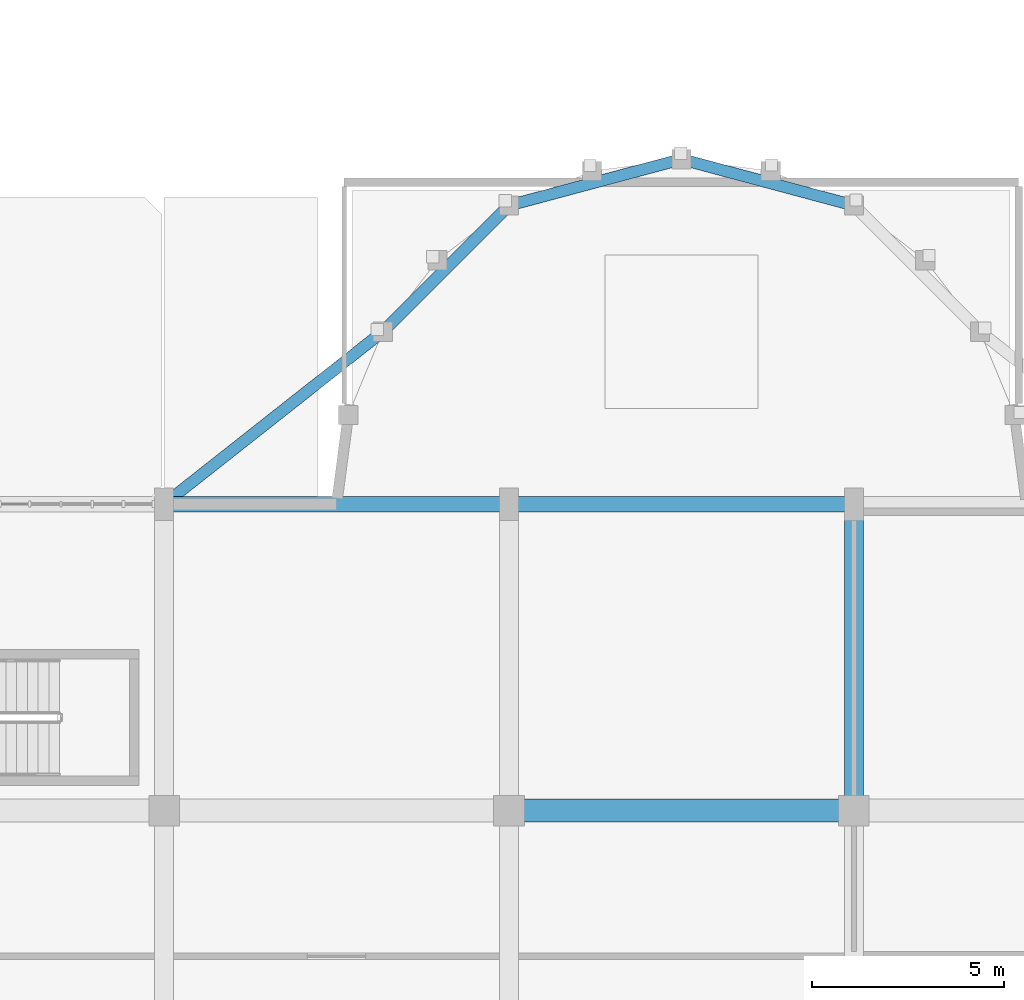
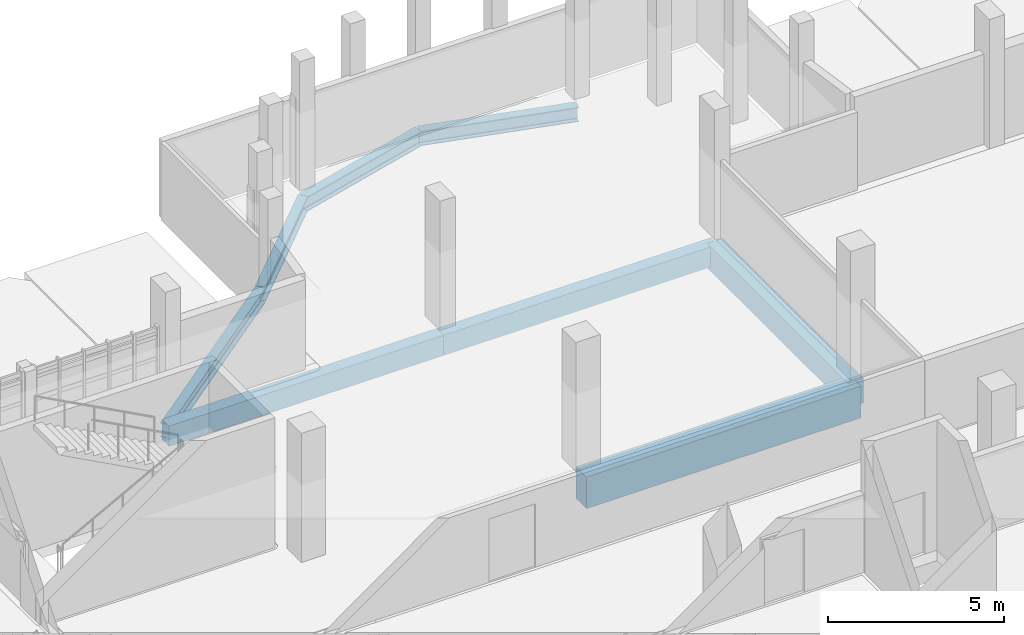
# One storey, part 18 of 63: 8 beams.
"""IFC4 building model written with IfcOpenShell, lengths in metres."""

from ifc_helpers import new_model, si_unit, direction, frame, origin, origin_2d, place, context, subcontext, project, spatial, rectangle, i_section, extrude, material, material_profile, profile_set, type_object, element, save


model = new_model("IFC4")

# Units and contexts
model_context = context("Model", 3, precision=1e-05, world=origin(), true_north=direction((0.0, 1.0)))
body_context = subcontext(model_context, "Body", "Model", "MODEL_VIEW")
ifc_project = project(units=[si_unit("LENGTHUNIT", "METRE"), si_unit("AREAUNIT", "SQUARE_METRE"), si_unit("VOLUMEUNIT", "CUBIC_METRE"), si_unit("PLANEANGLEUNIT", "RADIAN"), si_unit("MASSUNIT", "GRAM", prefix="KILO")], contexts=[model_context])

# Site, building, storey
site_placement = place(None, origin())
site = spatial("IfcSite", under=ifc_project, at=site_placement, CompositionType="ELEMENT")
building_placement = place(site_placement, origin())
building = spatial("IfcBuilding", under=site, at=building_placement, Name="Serraforn Aerial Cableway Station", CompositionType="ELEMENT")
storey_placement = place(building_placement, origin())
storey = spatial("IfcBuildingStorey", under=building, at=storey_placement, Name="L00", CompositionType="ELEMENT", Elevation=0.0)

# Beams
ifc_material_1 = material(Name="Concrete C35/45", Category="concrete")
ifc_material_profile_1 = material_profile(ifc_material_1, rectangle(XDim=0.39990234375, YDim=0.699951171875, at=origin_2d()), Name="RC 400x700")
ifc_profile_set_1 = profile_set([ifc_material_profile_1], Name="Concrete C35/45")
beam_type_1 = type_object("IfcBeamType", Name="BM-RC-400x700E", PredefinedType="SPANDREL", material=ifc_profile_set_1)
for number, where, z_axis, x_axis, name in (
    (1, (45.60009765625, 42.0, -0.7099609375), (1.0, 0.0, 0.0), (0.0, 1.0, 0.0), "Grid Girder X CV L00 Y4-3"),
    (2, (54.60009765625, 42.0, -0.7099609375), (1.0, 0.0, 0.0), (0.0, 1.0, 0.0), "Grid Girder X CV L00 Y4-4"),
):
    element("IfcBeam", number, at=place(storey_placement, frame(where, z_axis=z_axis, x_axis=x_axis)), inside=storey, type_object=beam_type_1, Name=name, PredefinedType="SPANDREL", context=body_context, shape_type="SweptSolid", body=[
        extrude(rectangle(XDim=0.39990234375, YDim=0.699951171875, at=origin_2d()), origin(), (0.0, 0.0, 1.0), 9.0),
    ])
ifc_material_profile_2 = material_profile(ifc_material_1, rectangle(XDim=0.5, YDim=0.85009765625, at=origin_2d()), Name="RC 500x850")
ifc_profile_set_2 = profile_set([ifc_material_profile_2], Name="Concrete C35/45")
beam_type_2 = type_object("IfcBeamType", Name="BM-RC-500x850", PredefinedType="USERDEFINED", material=ifc_profile_set_2)
beam_1_placement = place(storey_placement, frame((63.60009765625, 34.0, -0.784912109375), z_axis=(0.0, 1.0, 0.0), x_axis=(-1.0, 0.0, 0.0)))
element("IfcBeam", 3, at=beam_1_placement, inside=storey, type_object=beam_type_2, Name="Grid Girder Y CV L00 X5-3", ObjectType="GIRDER", PredefinedType="USERDEFINED", context=body_context, shape_type="SweptSolid", body=[
    extrude(rectangle(XDim=0.5, YDim=0.85009765625, at=origin_2d()), origin(), (0.0, 0.0, 1.0), 8.0),
])
ifc_material_2 = material(Name="Concrete C40/50", Category="concrete")
ifc_material_profile_3 = material_profile(ifc_material_2, rectangle(XDim=0.60009765625, YDim=1.10009765625, at=origin_2d()), Name="RC 600x1100")
ifc_profile_set_3 = profile_set([ifc_material_profile_3], Name="Concrete C40/50")
beam_type_3 = type_object("IfcBeamType", Name="BM-RC-600x1100", PredefinedType="USERDEFINED", material=ifc_profile_set_3)
beam_2_placement = place(storey_placement, frame((54.60009765625, 34.0, -0.909912109375), z_axis=(1.0, 0.0, 0.0), x_axis=(0.0, 1.0, 0.0)))
element("IfcBeam", 4, at=beam_2_placement, inside=storey, type_object=beam_type_3, Name="Grid Girder X CV L00 Y3-4", ObjectType="GIRDER", PredefinedType="USERDEFINED", context=body_context, shape_type="SweptSolid", body=[
    extrude(rectangle(XDim=0.60009765625, YDim=1.10009765625, at=origin_2d()), origin(), (0.0, 0.0, 1.0), 9.0),
])
ifc_material_3 = material(Name="Steel S355J2", Category="steel")
ifc_material_profile_4 = material_profile(ifc_material_3, i_section(OverallWidth=0.300048828125, OverallDepth=0.5, WebThickness=0.011962890625, FlangeThickness=0.02294921875, FilletRadius=0.027099609375, at=origin_2d()), Name="HEA 500")
ifc_profile_set_4 = profile_set([ifc_material_profile_4], Name="Steel S355J2")
beam_type_4 = type_object("IfcBeamType", Name="BM-ST-HEA500", PredefinedType="USERDEFINED", material=ifc_profile_set_4)
beam_3_placement = place(storey_placement, frame((45.60009765625, 42.0, -0.639892578125), z_axis=(0.785189683878, 0.619255327253, 0.0), x_axis=(-0.619255327253, 0.785189683878, 0.0)))
element("IfcBeam", 5, at=beam_3_placement, inside=storey, type_object=beam_type_4, Name="Apse Ring Girder L00-1", ObjectType="GIRDER", PredefinedType="USERDEFINED", context=body_context, shape_type="SweptSolid", body=[
    extrude(i_section(OverallWidth=0.300048828125, OverallDepth=0.5, WebThickness=0.011962890625, FlangeThickness=0.02294921875, FilletRadius=0.027099609375, at=origin_2d()), origin(), (0.0, 0.0, 1.0), 7.266845703125),
])
for number, where, z_axis, x_axis, name in (
    (6, (51.305908203125, 46.5, -0.610107421875), (0.707106781187, 0.707106781187, 0.0), (-0.707106781187, 0.707106781187, 0.0), "Apse Ring Girder L00-2"),
    (7, (54.60009765625, 49.794189453125, -0.610107421875), (0.965923723713, 0.258826891896, 0.0), (-0.258826891896, 0.965923723713, 0.0), "Apse Ring Girder L00-3"),
    (8, (59.10009765625, 51.0, -0.610107421875), (0.965923723713, -0.258826891896, 0.0), (0.258826891896, 0.965923723713, 0.0), "Apse Ring Girder L00-4"),
):
    element("IfcBeam", number, at=place(storey_placement, frame(where, z_axis=z_axis, x_axis=x_axis)), inside=storey, type_object=beam_type_4, Name=name, ObjectType="GIRDER", PredefinedType="USERDEFINED", context=body_context, shape_type="SweptSolid", body=[
        extrude(i_section(OverallWidth=0.300048828125, OverallDepth=0.5, WebThickness=0.011962890625, FlangeThickness=0.02294921875, FilletRadius=0.027099609375, at=origin_2d()), origin(), (0.0, 0.0, 1.0), 4.65869140625),
    ])

save(model, "model.ifc")
